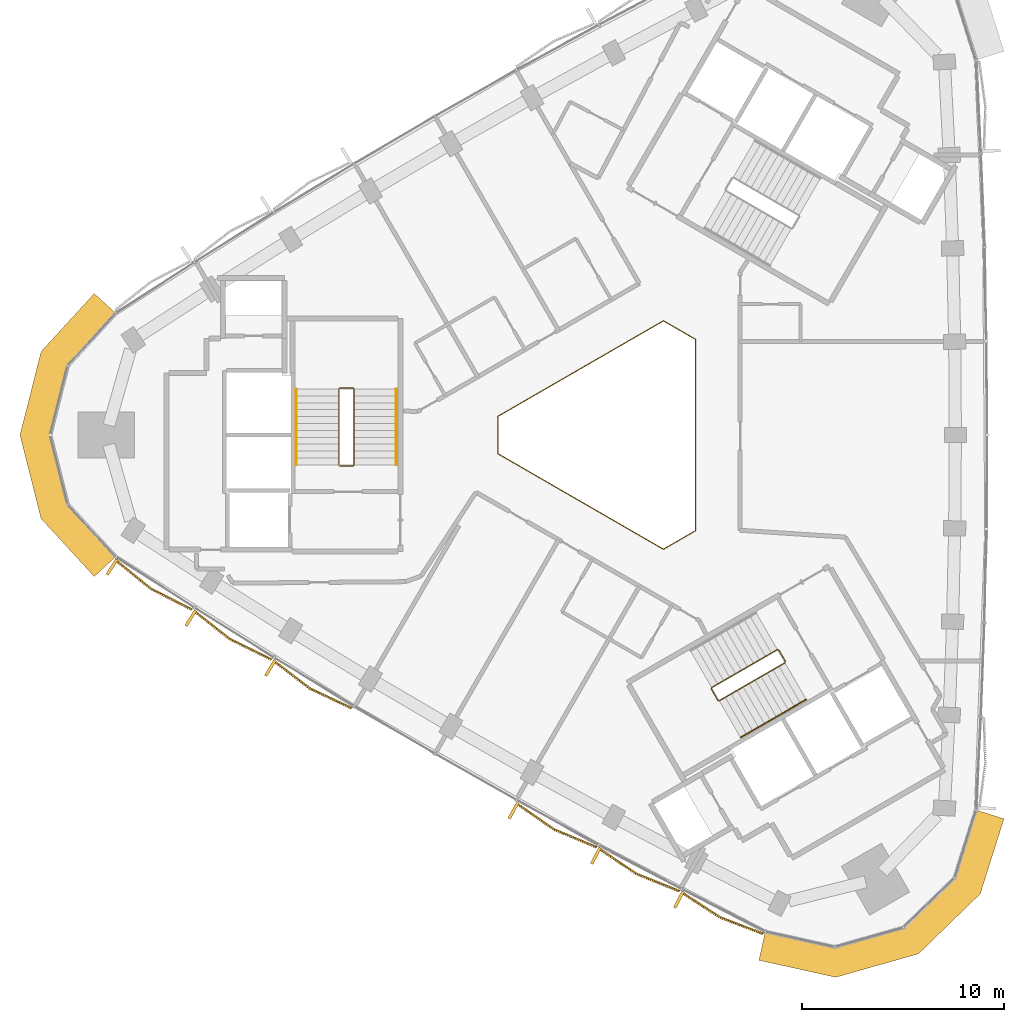
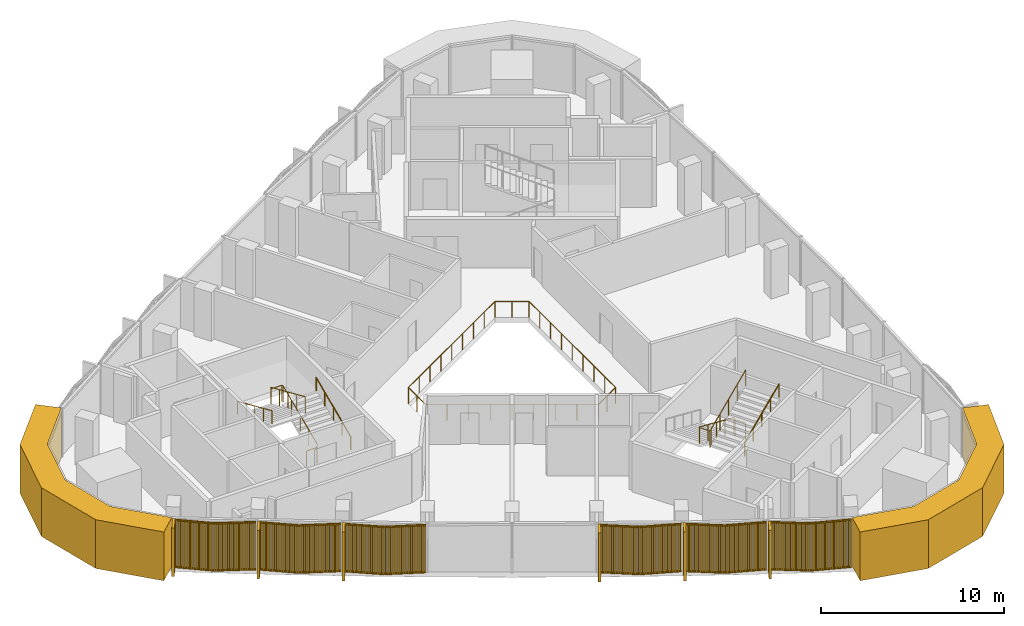
# One storey, part 12 of 14: 8 coverings, 6 railings.
"""IFC4 building model written with IfcOpenShell, lengths in metres."""

from ifc_helpers import new_model, si_unit, direction, frame, frame_2d, origin, origin_2d, place, context, subcontext, project, spatial, polyline, rectangle, circle, outline, extrude, source, transform, mapped, material, layer, layer_set, type_object, element, save


model = new_model("IFC4")

# Units and contexts
model_context = context("Model", 3, precision=1e-05, world=origin(), true_north=direction((0.0, 1.0)))
body_context = subcontext(model_context, "Body", "Model", "MODEL_VIEW")
ifc_project = project(units=[si_unit("LENGTHUNIT", "METRE"), si_unit("AREAUNIT", "SQUARE_METRE"), si_unit("VOLUMEUNIT", "CUBIC_METRE"), si_unit("PLANEANGLEUNIT", "RADIAN"), si_unit("MASSUNIT", "GRAM", prefix="KILO")], contexts=[model_context])

# Site, building, storey
site_placement = place(None, origin())
site = spatial("IfcSite", under=ifc_project, at=site_placement, CompositionType="ELEMENT")
building_placement = place(site_placement, origin())
building = spatial("IfcBuilding", under=site, at=building_placement, Name="Tamra Quay Hotel Tower", CompositionType="ELEMENT")
storey_placement = place(building_placement, frame((0.0, 0.0, 228.60009765625)))
storey = spatial("IfcBuildingStorey", under=building, at=storey_placement, Name="L57", CompositionType="ELEMENT", Elevation=228.60009765625)

# Coverings
ifc_material_1 = material(Name="Precast concrete M60 terracotta-coloured", Category="masonry")
ifc_layer = layer(ifc_material_1, 1.449951171875)
ifc_layer_set = layer_set([ifc_layer], Name="CORNER PIER PANEL")
covering_type_1 = type_object("IfcCoveringType", Name="CORNER PIER PANEL", PredefinedType="CLADDING", material=ifc_layer_set)
covering_1_placement = place(storey_placement, origin())
element("IfcCovering", 1, at=covering_1_placement, inside=storey, type_object=covering_type_1, Name="Corner pier L57.north-west", PredefinedType="CLADDING", context=body_context, shape_type="SweptSolid", body=[
    extrude(outline(polyline([(-24.941650390625, 6.034423828125), (-26.010986328125, 7.013916015625), (-28.645751953125, 4.13720703125), (-29.689697265625, 0.0), (-28.645751953125, -4.13720703125), (-26.010986328125, -7.013916015625), (-24.941650390625, -6.034423828125), (-27.329345703125, -3.427490234375), (-28.1943359375, 0.0), (-27.329345703125, 3.427490234375), (-24.941650390625, 6.034423828125)])), origin(), (0.0, 0.0, 1.0), 3.25),
])
covering_2_placement = place(storey_placement, origin())
element("IfcCovering", 2, at=covering_2_placement, inside=storey, type_object=covering_type_1, Name="Corner pier L57.south-west", PredefinedType="CLADDING", context=body_context, shape_type="SweptSolid", body=[
    extrude(outline(polyline([(7.244873046875, -24.617431640625), (6.931396484375, -26.033203125), (10.739990234375, -26.876708984375), (14.844970703125, -25.712158203125), (17.90576171875, -22.739501953125), (19.07958984375, -19.019287109375), (17.69677734375, -18.5830078125), (16.633056640625, -21.9541015625), (14.09716796875, -24.4169921875), (10.6962890625, -25.3818359375), (7.244873046875, -24.617431640625)])), origin(), (0.0, 0.0, 1.0), 3.25),
])

# Railings
ifc_material_2 = material(Name="Guard atrium edge 1100")
railing_type_1 = type_object("IfcRailingType", Name="Guard atrium edge 1100", PredefinedType="GUARDRAIL", material=ifc_material_2)
railing_1_placement = place(storey_placement, frame((3.800048828125, -4.73388671875, 0.0)))
element("IfcRailing", 3, at=railing_1_placement, inside=storey, type_object=railing_type_1, Name="G-A", PredefinedType="GUARDRAIL", context=body_context, shape_type="SweptSolid", body=[
    extrude(circle(Radius=0.02392578125, at=origin_2d()), frame((0.0, 0.0, 1.076171875), z_axis=(-0.865965533559, -0.500103683937, 0.0), x_axis=(0.500103683937, -0.865965533559, 0.0)), (0.0, 0.0, 1.0), 1.84765625),
    extrude(circle(Radius=0.02392578125, at=origin_2d()), frame((-1.60009765625, -0.924072265625, 1.076171875), z_axis=(-0.86604174356, 0.49997169761, 0.0), x_axis=(-0.49997169761, -0.86604174356, 0.0)), (0.0, 0.0, 1.0), 9.46826171875),
    extrude(circle(Radius=0.02392578125, at=origin_2d()), frame((-9.800048828125, 3.809814453125, 1.076171875), z_axis=(0.0, 1.0, 0.0), x_axis=(-1.0, 0.0, 0.0)), (0.0, 0.0, 1.0), 1.84814453125),
    extrude(circle(Radius=0.02392578125, at=origin_2d()), frame((-9.800048828125, 5.657958984375, 1.076171875), z_axis=(0.86604174356, 0.49997169761, 0.0), x_axis=(-0.49997169761, 0.86604174356, 0.0)), (0.0, 0.0, 1.0), 9.46826171875),
    extrude(circle(Radius=0.02392578125, at=origin_2d()), frame((-1.60009765625, 10.391845703125, 1.076171875), z_axis=(0.865965533559, -0.500103683937, 0.0), x_axis=(0.500103683937, 0.865965533559, 0.0)), (0.0, 0.0, 1.0), 1.84765625),
    extrude(circle(Radius=0.02392578125, at=origin_2d()), frame((0.0, 9.4677734375, 1.076171875), z_axis=(0.0, -1.0, 0.0), x_axis=(1.0, 0.0, 0.0)), (0.0, 0.0, 1.0), 9.4677734375),
    extrude(circle(Radius=0.02099609375, at=origin_2d()), origin(), (0.0, 0.0, 1.0), 1.052001953125),
    extrude(circle(Radius=0.02099609375, at=origin_2d()), frame((-0.800048828125, -0.4619140625, 0.0)), (0.0, 0.0, 1.0), 1.052001953125),
    extrude(circle(Radius=0.02099609375, at=origin_2d()), frame((-1.60009765625, -0.924072265625, 0.0)), (0.0, 0.0, 1.0), 1.052001953125),
    extrude(circle(Radius=0.02099609375, at=origin_2d()), frame((-2.625, -0.332275390625, 0.0)), (0.0, 0.0, 1.0), 1.052001953125),
    extrude(circle(Radius=0.02099609375, at=origin_2d()), frame((-3.650146484375, 0.25927734375, 0.0)), (0.0, 0.0, 1.0), 1.052001953125),
    extrude(circle(Radius=0.02099609375, at=origin_2d()), frame((-4.675048828125, 0.85107421875, 0.0)), (0.0, 0.0, 1.0), 1.052001953125),
    extrude(circle(Radius=0.02099609375, at=origin_2d()), frame((-5.7001953125, 1.44287109375, 0.0)), (0.0, 0.0, 1.0), 1.052001953125),
    extrude(circle(Radius=0.02099609375, at=origin_2d()), frame((-6.72509765625, 2.03466796875, 0.0)), (0.0, 0.0, 1.0), 1.052001953125),
    extrude(circle(Radius=0.02099609375, at=origin_2d()), frame((-7.75, 2.62646484375, 0.0)), (0.0, 0.0, 1.0), 1.052001953125),
    extrude(circle(Radius=0.02099609375, at=origin_2d()), frame((-8.775146484375, 3.218017578125, 0.0)), (0.0, 0.0, 1.0), 1.052001953125),
    extrude(circle(Radius=0.02099609375, at=origin_2d()), frame((-9.800048828125, 3.809814453125, 0.0)), (0.0, 0.0, 1.0), 1.052001953125),
    extrude(circle(Radius=0.02099609375, at=origin_2d()), frame((-9.800048828125, 4.73388671875, 0.0)), (0.0, 0.0, 1.0), 1.052001953125),
    extrude(circle(Radius=0.02099609375, at=origin_2d()), frame((-9.800048828125, 5.657958984375, 0.0)), (0.0, 0.0, 1.0), 1.052001953125),
    extrude(circle(Radius=0.02099609375, at=origin_2d()), frame((-8.775146484375, 6.249755859375, 0.0)), (0.0, 0.0, 1.0), 1.052001953125),
    extrude(circle(Radius=0.02099609375, at=origin_2d()), frame((-7.75, 6.84130859375, 0.0)), (0.0, 0.0, 1.0), 1.052001953125),
    extrude(circle(Radius=0.02099609375, at=origin_2d()), frame((-6.72509765625, 7.43310546875, 0.0)), (0.0, 0.0, 1.0), 1.052001953125),
    extrude(circle(Radius=0.02099609375, at=origin_2d()), frame((-5.7001953125, 8.02490234375, 0.0)), (0.0, 0.0, 1.0), 1.052001953125),
    extrude(circle(Radius=0.02099609375, at=origin_2d()), frame((-4.675048828125, 8.61669921875, 0.0)), (0.0, 0.0, 1.0), 1.052001953125),
    extrude(circle(Radius=0.02099609375, at=origin_2d()), frame((-3.650146484375, 9.20849609375, 0.0)), (0.0, 0.0, 1.0), 1.052001953125),
    extrude(circle(Radius=0.02099609375, at=origin_2d()), frame((-2.625, 9.800048828125, 0.0)), (0.0, 0.0, 1.0), 1.052001953125),
    extrude(circle(Radius=0.02099609375, at=origin_2d()), frame((-1.60009765625, 10.391845703125, 0.0)), (0.0, 0.0, 1.0), 1.052001953125),
    extrude(circle(Radius=0.02099609375, at=origin_2d()), frame((-0.800048828125, 9.9296875, 0.0)), (0.0, 0.0, 1.0), 1.052001953125),
    extrude(circle(Radius=0.02099609375, at=origin_2d()), frame((0.0, 9.4677734375, 0.0)), (0.0, 0.0, 1.0), 1.052001953125),
    extrude(circle(Radius=0.02099609375, at=origin_2d()), frame((0.0, 8.2841796875, 0.0)), (0.0, 0.0, 1.0), 1.052001953125),
    extrude(circle(Radius=0.02099609375, at=origin_2d()), frame((0.0, 7.100830078125, 0.0)), (0.0, 0.0, 1.0), 1.052001953125),
    extrude(circle(Radius=0.02099609375, at=origin_2d()), frame((0.0, 5.91748046875, 0.0)), (0.0, 0.0, 1.0), 1.052001953125),
    extrude(circle(Radius=0.02099609375, at=origin_2d()), frame((0.0, 4.73388671875, 0.0)), (0.0, 0.0, 1.0), 1.052001953125),
    extrude(circle(Radius=0.02099609375, at=origin_2d()), frame((0.0, 3.55029296875, 0.0)), (0.0, 0.0, 1.0), 1.052001953125),
    extrude(circle(Radius=0.02099609375, at=origin_2d()), frame((0.0, 2.366943359375, 0.0)), (0.0, 0.0, 1.0), 1.052001953125),
    extrude(circle(Radius=0.02099609375, at=origin_2d()), frame((0.0, 1.18359375, 0.0)), (0.0, 0.0, 1.0), 1.052001953125),
])
ifc_material_3 = material(Name="Stair guard 1100")
railing_type_2 = type_object("IfcRailingType", Name="Stair guard 1100", PredefinedType="GUARDRAIL", material=ifc_material_3)
railing_2_placement = place(storey_placement, frame((-13.84130859375, -1.530029296875, 0.0)))
element("IfcRailing", 4, at=railing_2_placement, inside=storey, type_object=railing_type_2, Name="GR", PredefinedType="GUARDRAIL", context=body_context, shape_type="SweptSolid", body=[
    extrude(circle(Radius=0.02392578125, at=origin_2d()), frame((0.0, 0.0, 1.076171875), z_axis=(1.0, 0.0, 0.0), x_axis=(0.0, 1.0, 0.0)), (0.0, 0.0, 1.0), 0.658935546875),
    extrude(circle(Radius=0.02392578125, at=origin_2d()), frame((0.658935546875, 0.0, 1.076171875), z_axis=(0.301912943143, 0.301912943143, 0.904266083366), x_axis=(-0.707106781187, 0.707106781187, 0.0)), (0.0, 0.0, 1.0), 0.165771484375),
    extrude(circle(Radius=0.02392578125, at=origin_2d()), frame((0.708984375, 0.050048828125, 1.22607421875), z_axis=(0.0, 0.915795495799, 0.401644880304), x_axis=(-1.0, 0.0, 0.0)), (0.0, 0.0, 1.0), 4.10791015625),
    extrude(circle(Radius=0.02392578125, at=origin_2d()), frame((0.708984375, 3.81201171875, 2.8759765625), z_axis=(-0.708833529934, 0.705375805398, 0.0), x_axis=(-0.705375805398, -0.708833529934, 0.0)), (0.0, 0.0, 1.0), 0.070556640625),
    extrude(circle(Radius=0.02392578125, at=origin_2d()), frame((0.658935546875, 3.86181640625, 2.8759765625), z_axis=(-1.0, 0.0, 0.0), x_axis=(0.0, -1.0, 0.0)), (0.0, 0.0, 1.0), 0.658935546875),
    extrude(circle(Radius=0.02392578125, at=origin_2d()), frame((0.0, 3.86181640625, 2.8759765625), z_axis=(-0.301644814947, -0.300173376825, 0.904934444842), x_axis=(0.705375805398, -0.708833529934, 0.0)), (0.0, 0.0, 1.0), 0.166015625),
    extrude(circle(Radius=0.02392578125, at=origin_2d()), frame((-0.050048828125, 3.81201171875, 3.02587890625), z_axis=(0.0, -0.915795495799, 0.401644880304), x_axis=(1.0, 0.0, 0.0)), (0.0, 0.0, 1.0), 4.10791015625),
    extrude(circle(Radius=0.02099609375, at=origin_2d()), origin(), (0.0, 0.0, 1.0), 1.052001953125),
    extrude(circle(Radius=0.02099609375, at=origin_2d()), frame((0.658935546875, 0.0, 0.0)), (0.0, 0.0, 1.0), 1.052001953125),
    extrude(circle(Radius=0.02099609375, at=origin_2d()), frame((0.708984375, 0.050048828125, 0.14990234375)), (0.0, 0.0, 1.0), 1.052001953125),
    extrude(circle(Radius=0.02099609375, at=origin_2d()), frame((0.708984375, 0.990478515625, 0.5625)), (0.0, 0.0, 1.0), 1.052001953125),
    extrude(circle(Radius=0.02099609375, at=origin_2d()), frame((0.708984375, 1.93115234375, 0.974853515625)), (0.0, 0.0, 1.0), 1.052001953125),
    extrude(circle(Radius=0.02099609375, at=origin_2d()), frame((0.708984375, 2.87158203125, 1.38720703125)), (0.0, 0.0, 1.0), 1.052001953125),
    extrude(circle(Radius=0.02099609375, at=origin_2d()), frame((0.708984375, 3.81201171875, 1.7998046875)), (0.0, 0.0, 1.0), 1.052001953125),
    extrude(circle(Radius=0.02099609375, at=origin_2d()), frame((0.658935546875, 3.86181640625, 1.7998046875)), (0.0, 0.0, 1.0), 1.052001953125),
    extrude(circle(Radius=0.02099609375, at=origin_2d()), frame((0.0, 3.86181640625, 1.7998046875)), (0.0, 0.0, 1.0), 1.052001953125),
    extrude(circle(Radius=0.02099609375, at=origin_2d()), frame((-0.050048828125, 3.81201171875, 1.949951171875)), (0.0, 0.0, 1.0), 1.052001953125),
    extrude(circle(Radius=0.02099609375, at=origin_2d()), frame((-0.050048828125, 2.87158203125, 2.3623046875)), (0.0, 0.0, 1.0), 1.052001953125),
    extrude(circle(Radius=0.02099609375, at=origin_2d()), frame((-0.050048828125, 1.93115234375, 2.77490234375)), (0.0, 0.0, 1.0), 1.052001953125),
    extrude(circle(Radius=0.02099609375, at=origin_2d()), frame((-0.050048828125, 0.990478515625, 3.1875)), (0.0, 0.0, 1.0), 1.052001953125),
    extrude(circle(Radius=0.02099609375, at=origin_2d()), frame((-0.050048828125, 0.050048828125, 3.599853515625)), (0.0, 0.0, 1.0), 1.052001953125),
])
railing_3_placement = place(storey_placement, frame((8.245849609375, -11.221923828125, 0.0)))
element("IfcRailing", 5, at=railing_3_placement, inside=storey, type_object=railing_type_2, Name="GR", PredefinedType="GUARDRAIL", context=body_context, shape_type="SweptSolid", body=[
    extrude(circle(Radius=0.02392578125, at=origin_2d()), frame((0.0, 0.0, 1.076171875), z_axis=(-0.500043078269, 0.866000531106, 0.0), x_axis=(-0.866000531106, -0.500043078269, 0.0)), (0.0, 0.0, 1.0), 0.6591796875),
    extrude(circle(Radius=0.02392578125, at=origin_2d()), frame((-0.32958984375, 0.57080078125, 1.076171875), z_axis=(-0.41238007866, 0.110458949641, 0.904290601062), x_axis=(-0.258736085224, -0.965948051503, 0.0)), (0.0, 0.0, 1.0), 0.165771484375),
    extrude(circle(Radius=0.02392578125, at=origin_2d()), frame((-0.39794921875, 0.589111328125, 1.22607421875), z_axis=(-0.793100512587, -0.457912285461, 0.401631567183), x_axis=(0.500012686397, -0.866018079166, 0.0)), (0.0, 0.0, 1.0), 4.10791015625),
    extrude(circle(Radius=0.02392578125, at=origin_2d()), frame((-3.656005859375, -1.2919921875, 2.8759765625), z_axis=(-0.256368644879, -0.966579080015, 0.0), x_axis=(0.966579080015, -0.256368644879, 0.0)), (0.0, 0.0, 1.0), 0.070556640625),
    extrude(circle(Radius=0.02392578125, at=origin_2d()), frame((-3.674072265625, -1.360107421875, 2.8759765625), z_axis=(0.499765215335, -0.866160914346, 0.0), x_axis=(0.866160914346, 0.499765215335, 0.0)), (0.0, 0.0, 1.0), 0.658935546875),
    extrude(circle(Radius=0.02392578125, at=origin_2d()), frame((-3.3447265625, -1.930908203125, 2.8759765625), z_axis=(0.411831509231, -0.110312011401, 0.90455849349), x_axis=(0.258736085224, 0.965948051503, 0.0)), (0.0, 0.0, 1.0), 0.166015625),
    extrude(circle(Radius=0.02392578125, at=origin_2d()), frame((-3.2763671875, -1.94921875, 3.02587890625), z_axis=(0.793100512587, 0.457912285461, 0.401631567183), x_axis=(-0.500012686397, 0.866018079166, 0.0)), (0.0, 0.0, 1.0), 4.10791015625),
    extrude(circle(Radius=0.02099609375, at=origin_2d()), origin(), (0.0, 0.0, 1.0), 1.052001953125),
    extrude(circle(Radius=0.02099609375, at=origin_2d()), frame((-0.32958984375, 0.57080078125, 0.0)), (0.0, 0.0, 1.0), 1.052001953125),
    extrude(circle(Radius=0.02099609375, at=origin_2d()), frame((-0.39794921875, 0.589111328125, 0.14990234375)), (0.0, 0.0, 1.0), 1.052001953125),
    extrude(circle(Radius=0.02099609375, at=origin_2d()), frame((-1.21240234375, 0.118896484375, 0.5625)), (0.0, 0.0, 1.0), 1.052001953125),
    extrude(circle(Radius=0.02099609375, at=origin_2d()), frame((-2.02685546875, -0.3515625, 0.974853515625)), (0.0, 0.0, 1.0), 1.052001953125),
    extrude(circle(Radius=0.02099609375, at=origin_2d()), frame((-2.841552734375, -0.82177734375, 1.38720703125)), (0.0, 0.0, 1.0), 1.052001953125),
    extrude(circle(Radius=0.02099609375, at=origin_2d()), frame((-3.656005859375, -1.2919921875, 1.7998046875)), (0.0, 0.0, 1.0), 1.052001953125),
    extrude(circle(Radius=0.02099609375, at=origin_2d()), frame((-3.674072265625, -1.360107421875, 1.7998046875)), (0.0, 0.0, 1.0), 1.052001953125),
    extrude(circle(Radius=0.02099609375, at=origin_2d()), frame((-3.3447265625, -1.930908203125, 1.7998046875)), (0.0, 0.0, 1.0), 1.052001953125),
    extrude(circle(Radius=0.02099609375, at=origin_2d()), frame((-3.2763671875, -1.94921875, 1.949951171875)), (0.0, 0.0, 1.0), 1.052001953125),
    extrude(circle(Radius=0.02099609375, at=origin_2d()), frame((-2.4619140625, -1.47900390625, 2.3623046875)), (0.0, 0.0, 1.0), 1.052001953125),
    extrude(circle(Radius=0.02099609375, at=origin_2d()), frame((-1.6474609375, -1.0087890625, 2.77490234375)), (0.0, 0.0, 1.0), 1.052001953125),
    extrude(circle(Radius=0.02099609375, at=origin_2d()), frame((-0.832763671875, -0.538330078125, 3.1875)), (0.0, 0.0, 1.0), 1.052001953125),
    extrude(circle(Radius=0.02099609375, at=origin_2d()), frame((-0.018310546875, -0.068115234375, 3.599853515625)), (0.0, 0.0, 1.0), 1.052001953125),
])
ifc_material_4 = material(Name="Stair handrail 900")
railing_type_3 = type_object("IfcRailingType", Name="Stair handrail 900", PredefinedType="HANDRAIL", material=ifc_material_4)
railing_4_placement = place(storey_placement, frame((-11.0322265625, -1.47998046875, 0.14990234375)))
element("IfcRailing", 6, at=railing_4_placement, inside=storey, type_object=railing_type_3, Name="HR", PredefinedType="HANDRAIL", context=body_context, shape_type="SweptSolid", body=[
    extrude(circle(Radius=0.02392578125, at=origin_2d()), frame((0.0, 0.0, 0.8759765625), z_axis=(0.0, 0.915795495799, 0.401644880304), x_axis=(-1.0, 0.0, 0.0)), (0.0, 0.0, 1.0), 4.10791015625),
    extrude(circle(Radius=0.02099609375, at=origin_2d()), origin(), (0.0, 0.0, 1.0), 0.851806640625),
    extrude(circle(Radius=0.02099609375, at=origin_2d()), frame((0.0, 0.9404296875, 0.41259765625)), (0.0, 0.0, 1.0), 0.851806640625),
    extrude(circle(Radius=0.02099609375, at=origin_2d()), frame((0.0, 1.880859375, 0.824951171875)), (0.0, 0.0, 1.0), 0.851806640625),
    extrude(circle(Radius=0.02099609375, at=origin_2d()), frame((0.0, 2.821533203125, 1.2373046875)), (0.0, 0.0, 1.0), 0.851806640625),
    extrude(circle(Radius=0.02099609375, at=origin_2d()), frame((0.0, 3.761962890625, 1.64990234375)), (0.0, 0.0, 1.0), 0.851806640625),
])
railing_5_placement = place(storey_placement, frame((-15.9912109375, 2.281982421875, 1.949951171875)))
element("IfcRailing", 7, at=railing_5_placement, inside=storey, type_object=railing_type_3, Name="HR", PredefinedType="HANDRAIL", context=body_context, shape_type="SweptSolid", body=[
    extrude(circle(Radius=0.02392578125, at=origin_2d()), frame((0.0, 0.0, 0.8759765625), z_axis=(0.0, -0.915795495799, 0.401644880304), x_axis=(1.0, 0.0, 0.0)), (0.0, 0.0, 1.0), 4.10791015625),
    extrude(circle(Radius=0.02099609375, at=origin_2d()), origin(), (0.0, 0.0, 1.0), 0.851806640625),
    extrude(circle(Radius=0.02099609375, at=origin_2d()), frame((0.0, -0.9404296875, 0.41259765625)), (0.0, 0.0, 1.0), 0.851806640625),
    extrude(circle(Radius=0.02099609375, at=origin_2d()), frame((0.0, -1.880859375, 0.824951171875)), (0.0, 0.0, 1.0), 0.851806640625),
    extrude(circle(Radius=0.02099609375, at=origin_2d()), frame((0.0, -2.821533203125, 1.2373046875)), (0.0, 0.0, 1.0), 0.851806640625),
    extrude(circle(Radius=0.02099609375, at=origin_2d()), frame((0.0, -3.761962890625, 1.64990234375)), (0.0, 0.0, 1.0), 0.851806640625),
])
railing_6_placement = place(storey_placement, frame((6.01953125, -14.98974609375, 1.949951171875)))
element("IfcRailing", 8, at=railing_6_placement, inside=storey, type_object=railing_type_3, Name="HR", PredefinedType="HANDRAIL", context=body_context, shape_type="SweptSolid", body=[
    extrude(circle(Radius=0.02392578125, at=origin_2d()), frame((0.0, 0.0, 0.8759765625), z_axis=(0.79310004713, 0.457886897714, 0.401661429744), x_axis=(-0.499992114976, 0.866029956157, 0.0)), (0.0, 0.0, 1.0), 4.107666015625),
    extrude(circle(Radius=0.02099609375, at=origin_2d()), origin(), (0.0, 0.0, 1.0), 0.851806640625),
    extrude(circle(Radius=0.02099609375, at=origin_2d()), frame((0.814453125, 0.47021484375, 0.41259765625)), (0.0, 0.0, 1.0), 0.851806640625),
    extrude(circle(Radius=0.02099609375, at=origin_2d()), frame((1.62890625, 0.9404296875, 0.824951171875)), (0.0, 0.0, 1.0), 0.851806640625),
    extrude(circle(Radius=0.02099609375, at=origin_2d()), frame((2.443359375, 1.41064453125, 1.2373046875)), (0.0, 0.0, 1.0), 0.851806640625),
    extrude(circle(Radius=0.02099609375, at=origin_2d()), frame((3.2578125, 1.880859375, 1.64990234375)), (0.0, 0.0, 1.0), 0.851806640625),
])

# Coverings
ifc_material_5 = material(Name="Terracotta baguette extruded", Category="masonry")
covering_type_2 = type_object("IfcCoveringType", Name="BAGUETTE SCREEN SW-V H3250", PredefinedType="USERDEFINED", material=ifc_material_5)
shared_shape = source(origin(), body_context, "Body", "SweptSolid", [
    extrude(rectangle(XDim=2.295166015625, YDim=0.06005859375, at=frame_2d((1.1474609375, 0.030029296875))), frame((-2.288818359375, -0.0576171875, -0.1201171875), z_axis=(0.0, 0.0, 1.0), x_axis=(0.994521895368, -0.104528463268, 0.0)), (0.0, 0.0, 1.0), 0.1201171875),
    extrude(rectangle(XDim=2.295166015625, YDim=0.06005859375, at=frame_2d((1.1474609375, 0.030029296875))), frame((-2.288818359375, -0.0576171875, -3.25), z_axis=(0.0, 0.0, 1.0), x_axis=(0.994521895368, -0.104528463268, 0.0)), (0.0, 0.0, 1.0), 0.1201171875),
    extrude(rectangle(XDim=0.070068359375, YDim=0.10009765625, at=frame_2d((0.03515625, 0.050048828125))), frame((-2.267822265625, -0.13330078125, -3.18994140625)), (0.0, 0.0, 1.0), 3.1298828125),
    extrude(rectangle(XDim=0.070068359375, YDim=0.10009765625, at=frame_2d((0.03515625, 0.050048828125))), frame((-2.168701171875, -0.1435546875, -3.18994140625)), (0.0, 0.0, 1.0), 3.1298828125),
    extrude(rectangle(XDim=0.070068359375, YDim=0.10009765625, at=frame_2d((0.03515625, 0.050048828125))), frame((-2.0693359375, -0.154052734375, -3.18994140625)), (0.0, 0.0, 1.0), 3.1298828125),
    extrude(rectangle(XDim=0.070068359375, YDim=0.10009765625, at=frame_2d((0.03515625, 0.050048828125))), frame((-1.97021484375, -0.16455078125, -3.18994140625)), (0.0, 0.0, 1.0), 3.1298828125),
    extrude(rectangle(XDim=0.070068359375, YDim=0.10009765625, at=frame_2d((0.03515625, 0.050048828125))), frame((-1.870849609375, -0.175048828125, -3.18994140625)), (0.0, 0.0, 1.0), 3.1298828125),
    extrude(rectangle(XDim=0.070068359375, YDim=0.10009765625, at=frame_2d((0.03515625, 0.050048828125))), frame((-1.771728515625, -0.185302734375, -3.18994140625)), (0.0, 0.0, 1.0), 3.1298828125),
    extrude(rectangle(XDim=0.070068359375, YDim=0.10009765625, at=frame_2d((0.03515625, 0.050048828125))), frame((-1.67236328125, -0.19580078125, -3.18994140625)), (0.0, 0.0, 1.0), 3.1298828125),
    extrude(rectangle(XDim=0.070068359375, YDim=0.10009765625, at=frame_2d((0.03515625, 0.050048828125))), frame((-1.5732421875, -0.206298828125, -3.18994140625)), (0.0, 0.0, 1.0), 3.1298828125),
    extrude(rectangle(XDim=0.070068359375, YDim=0.10009765625, at=frame_2d((0.03515625, 0.050048828125))), frame((-1.473876953125, -0.216552734375, -3.18994140625)), (0.0, 0.0, 1.0), 3.1298828125),
    extrude(rectangle(XDim=0.070068359375, YDim=0.10009765625, at=frame_2d((0.03515625, 0.050048828125))), frame((-1.374755859375, -0.22705078125, -3.18994140625)), (0.0, 0.0, 1.0), 3.1298828125),
    extrude(rectangle(XDim=0.070068359375, YDim=0.10009765625, at=frame_2d((0.03515625, 0.050048828125))), frame((-1.275390625, -0.237548828125, -3.18994140625)), (0.0, 0.0, 1.0), 3.1298828125),
    extrude(rectangle(XDim=0.070068359375, YDim=0.10009765625, at=frame_2d((0.03515625, 0.050048828125))), frame((-1.17626953125, -0.248046875, -3.18994140625)), (0.0, 0.0, 1.0), 3.1298828125),
    extrude(rectangle(XDim=0.070068359375, YDim=0.10009765625, at=frame_2d((0.03515625, 0.050048828125))), frame((-1.076904296875, -0.25830078125, -3.18994140625)), (0.0, 0.0, 1.0), 3.1298828125),
    extrude(rectangle(XDim=0.070068359375, YDim=0.10009765625, at=frame_2d((0.03515625, 0.050048828125))), frame((-0.977783203125, -0.268798828125, -3.18994140625)), (0.0, 0.0, 1.0), 3.1298828125),
    extrude(rectangle(XDim=0.070068359375, YDim=0.10009765625, at=frame_2d((0.03515625, 0.050048828125))), frame((-0.87841796875, -0.279296875, -3.18994140625)), (0.0, 0.0, 1.0), 3.1298828125),
    extrude(rectangle(XDim=0.070068359375, YDim=0.10009765625, at=frame_2d((0.03515625, 0.050048828125))), frame((-0.779296875, -0.28955078125, -3.18994140625)), (0.0, 0.0, 1.0), 3.1298828125),
    extrude(rectangle(XDim=0.070068359375, YDim=0.10009765625, at=frame_2d((0.03515625, 0.050048828125))), frame((-0.679931640625, -0.300048828125, -3.18994140625)), (0.0, 0.0, 1.0), 3.1298828125),
    extrude(rectangle(XDim=0.070068359375, YDim=0.10009765625, at=frame_2d((0.03515625, 0.050048828125))), frame((-0.580810546875, -0.310546875, -3.18994140625)), (0.0, 0.0, 1.0), 3.1298828125),
    extrude(rectangle(XDim=0.070068359375, YDim=0.10009765625, at=frame_2d((0.03515625, 0.050048828125))), frame((-0.481689453125, -0.321044921875, -3.18994140625)), (0.0, 0.0, 1.0), 3.1298828125),
    extrude(rectangle(XDim=0.070068359375, YDim=0.10009765625, at=frame_2d((0.03515625, 0.050048828125))), frame((-0.38232421875, -0.331298828125, -3.18994140625)), (0.0, 0.0, 1.0), 3.1298828125),
    extrude(rectangle(XDim=0.070068359375, YDim=0.10009765625, at=frame_2d((0.03515625, 0.050048828125))), frame((-0.283203125, -0.341796875, -3.18994140625)), (0.0, 0.0, 1.0), 3.1298828125),
    extrude(rectangle(XDim=0.070068359375, YDim=0.10009765625, at=frame_2d((0.03515625, 0.050048828125))), frame((-0.183837890625, -0.352294921875, -3.18994140625)), (0.0, 0.0, 1.0), 3.1298828125),
    extrude(rectangle(XDim=0.070068359375, YDim=0.10009765625, at=frame_2d((0.03515625, 0.050048828125))), frame((-0.084716796875, -0.36279296875, -3.18994140625)), (0.0, 0.0, 1.0), 3.1298828125),
    extrude(rectangle(XDim=2.295166015625, YDim=0.06005859375, at=frame_2d((1.1474609375, 0.030029296875))), frame((0.00634765625, -0.297607421875, -0.1201171875), z_axis=(0.0, 0.0, 1.0), x_axis=(0.994521895368, 0.104528463268, 0.0)), (0.0, 0.0, 1.0), 0.1201171875),
    extrude(rectangle(XDim=2.295166015625, YDim=0.06005859375, at=frame_2d((1.1474609375, 0.030029296875))), frame((0.00634765625, -0.297607421875, -3.25), z_axis=(0.0, 0.0, 1.0), x_axis=(0.994521895368, 0.104528463268, 0.0)), (0.0, 0.0, 1.0), 0.1201171875),
    extrude(rectangle(XDim=0.070068359375, YDim=0.10009765625, at=frame_2d((0.03515625, 0.050048828125))), frame((0.0146484375, -0.36279296875, -3.18994140625)), (0.0, 0.0, 1.0), 3.1298828125),
    extrude(rectangle(XDim=0.070068359375, YDim=0.10009765625, at=frame_2d((0.03515625, 0.050048828125))), frame((0.11376953125, -0.352294921875, -3.18994140625)), (0.0, 0.0, 1.0), 3.1298828125),
    extrude(rectangle(XDim=0.070068359375, YDim=0.10009765625, at=frame_2d((0.03515625, 0.050048828125))), frame((0.213134765625, -0.341796875, -3.18994140625)), (0.0, 0.0, 1.0), 3.1298828125),
    extrude(rectangle(XDim=0.070068359375, YDim=0.10009765625, at=frame_2d((0.03515625, 0.050048828125))), frame((0.312255859375, -0.331298828125, -3.18994140625)), (0.0, 0.0, 1.0), 3.1298828125),
    extrude(rectangle(XDim=0.070068359375, YDim=0.10009765625, at=frame_2d((0.03515625, 0.050048828125))), frame((0.41162109375, -0.321044921875, -3.18994140625)), (0.0, 0.0, 1.0), 3.1298828125),
    extrude(rectangle(XDim=0.070068359375, YDim=0.10009765625, at=frame_2d((0.03515625, 0.050048828125))), frame((0.5107421875, -0.310546875, -3.18994140625)), (0.0, 0.0, 1.0), 3.1298828125),
    extrude(rectangle(XDim=0.070068359375, YDim=0.10009765625, at=frame_2d((0.03515625, 0.050048828125))), frame((0.610107421875, -0.300048828125, -3.18994140625)), (0.0, 0.0, 1.0), 3.1298828125),
    extrude(rectangle(XDim=0.070068359375, YDim=0.10009765625, at=frame_2d((0.03515625, 0.050048828125))), frame((0.709228515625, -0.28955078125, -3.18994140625)), (0.0, 0.0, 1.0), 3.1298828125),
    extrude(rectangle(XDim=0.070068359375, YDim=0.10009765625, at=frame_2d((0.03515625, 0.050048828125))), frame((0.80859375, -0.279296875, -3.18994140625)), (0.0, 0.0, 1.0), 3.1298828125),
    extrude(rectangle(XDim=0.070068359375, YDim=0.10009765625, at=frame_2d((0.03515625, 0.050048828125))), frame((0.90771484375, -0.268798828125, -3.18994140625)), (0.0, 0.0, 1.0), 3.1298828125),
    extrude(rectangle(XDim=0.070068359375, YDim=0.10009765625, at=frame_2d((0.03515625, 0.050048828125))), frame((1.007080078125, -0.25830078125, -3.18994140625)), (0.0, 0.0, 1.0), 3.1298828125),
    extrude(rectangle(XDim=0.070068359375, YDim=0.10009765625, at=frame_2d((0.03515625, 0.050048828125))), frame((1.106201171875, -0.248046875, -3.18994140625)), (0.0, 0.0, 1.0), 3.1298828125),
    extrude(rectangle(XDim=0.070068359375, YDim=0.10009765625, at=frame_2d((0.03515625, 0.050048828125))), frame((1.20556640625, -0.237548828125, -3.18994140625)), (0.0, 0.0, 1.0), 3.1298828125),
    extrude(rectangle(XDim=0.070068359375, YDim=0.10009765625, at=frame_2d((0.03515625, 0.050048828125))), frame((1.3046875, -0.22705078125, -3.18994140625)), (0.0, 0.0, 1.0), 3.1298828125),
    extrude(rectangle(XDim=0.070068359375, YDim=0.10009765625, at=frame_2d((0.03515625, 0.050048828125))), frame((1.404052734375, -0.216552734375, -3.18994140625)), (0.0, 0.0, 1.0), 3.1298828125),
    extrude(rectangle(XDim=0.070068359375, YDim=0.10009765625, at=frame_2d((0.03515625, 0.050048828125))), frame((1.503173828125, -0.206298828125, -3.18994140625)), (0.0, 0.0, 1.0), 3.1298828125),
    extrude(rectangle(XDim=0.070068359375, YDim=0.10009765625, at=frame_2d((0.03515625, 0.050048828125))), frame((1.6025390625, -0.19580078125, -3.18994140625)), (0.0, 0.0, 1.0), 3.1298828125),
    extrude(rectangle(XDim=0.070068359375, YDim=0.10009765625, at=frame_2d((0.03515625, 0.050048828125))), frame((1.70166015625, -0.185302734375, -3.18994140625)), (0.0, 0.0, 1.0), 3.1298828125),
    extrude(rectangle(XDim=0.070068359375, YDim=0.10009765625, at=frame_2d((0.03515625, 0.050048828125))), frame((1.801025390625, -0.175048828125, -3.18994140625)), (0.0, 0.0, 1.0), 3.1298828125),
    extrude(rectangle(XDim=0.070068359375, YDim=0.10009765625, at=frame_2d((0.03515625, 0.050048828125))), frame((1.900146484375, -0.16455078125, -3.18994140625)), (0.0, 0.0, 1.0), 3.1298828125),
    extrude(rectangle(XDim=0.070068359375, YDim=0.10009765625, at=frame_2d((0.03515625, 0.050048828125))), frame((1.99951171875, -0.154052734375, -3.18994140625)), (0.0, 0.0, 1.0), 3.1298828125),
    extrude(rectangle(XDim=0.070068359375, YDim=0.10009765625, at=frame_2d((0.03515625, 0.050048828125))), frame((2.0986328125, -0.1435546875, -3.18994140625)), (0.0, 0.0, 1.0), 3.1298828125),
    extrude(rectangle(XDim=0.070068359375, YDim=0.10009765625, at=frame_2d((0.03515625, 0.050048828125))), frame((2.197998046875, -0.13330078125, -3.18994140625)), (0.0, 0.0, 1.0), 3.1298828125),
    extrude(rectangle(XDim=0.14990234375, YDim=0.902099609375, at=frame_2d((0.074951171875, 0.451171875))), frame((-2.282470703125, -0.89990234375, -3.25)), (0.0, 0.0, 1.0), 3.25),
])
for number, where, z_axis, x_axis, name in (
    (9, (-23.036376953125, -7.3681640625, 3.25), (0.0, 0.0, 1.0), (0.839178810526, -0.543855609481, 0.0), "Baguette screen L57.SW.f00"),
    (10, (-19.1162109375, -9.8681640625, 3.25), (0.0, 0.0, 1.0), (0.847068237769, -0.531484148929, 0.0), "Baguette screen L57.SW.f01"),
    (11, (-15.159912109375, -12.31005859375, 3.25), (0.0, 0.0, 1.0), (0.854783158184, -0.518985310471, 0.0), "Baguette screen L57.SW.f02"),
    (12, (-3.0810546875, -19.283935546875, 3.25), (0.0, 0.0, 1.0), (0.876846042151, -0.480771274479, 0.0), "Baguette screen L57.SW.f05"),
    (13, (1.01220703125, -21.4892578125, 3.25), (0.0, 0.0, 1.0), (0.883812893566, -0.467840538183, 0.0), "Baguette screen L57.SW.f06"),
    (14, (5.13720703125, -23.63427734375, 3.25), (0.0, 0.0, 1.0), (0.890582179064, -0.454822363492, 0.0), "Baguette screen L57.SW.f07"),
):
    element("IfcCovering", number, at=place(storey_placement, frame(where, z_axis=z_axis, x_axis=x_axis)), inside=storey, type_object=covering_type_2, Name=name, ObjectType="BAGUETTE SCREEN", PredefinedType="USERDEFINED", context=body_context, shape_type="MappedRepresentation", body=[
        mapped(shared_shape, transform((0.0, 0.0, 0.0), scale=1.0)),
    ])

save(model, "model.ifc")
